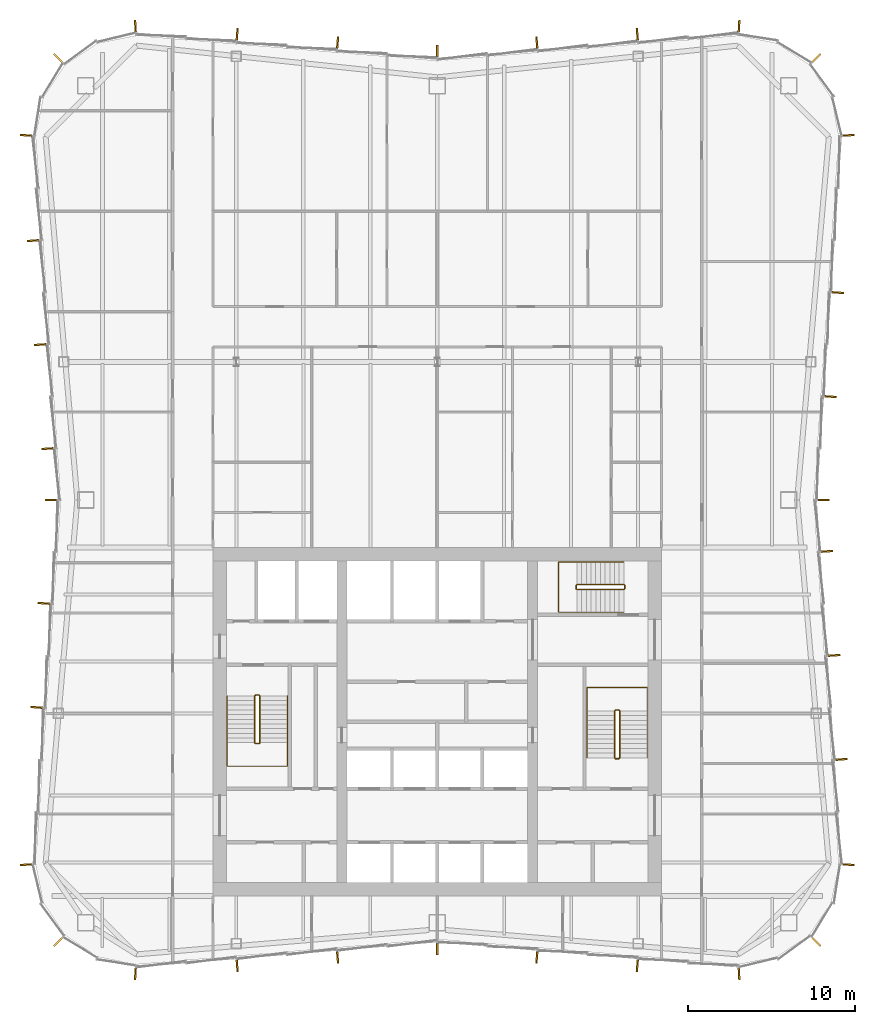
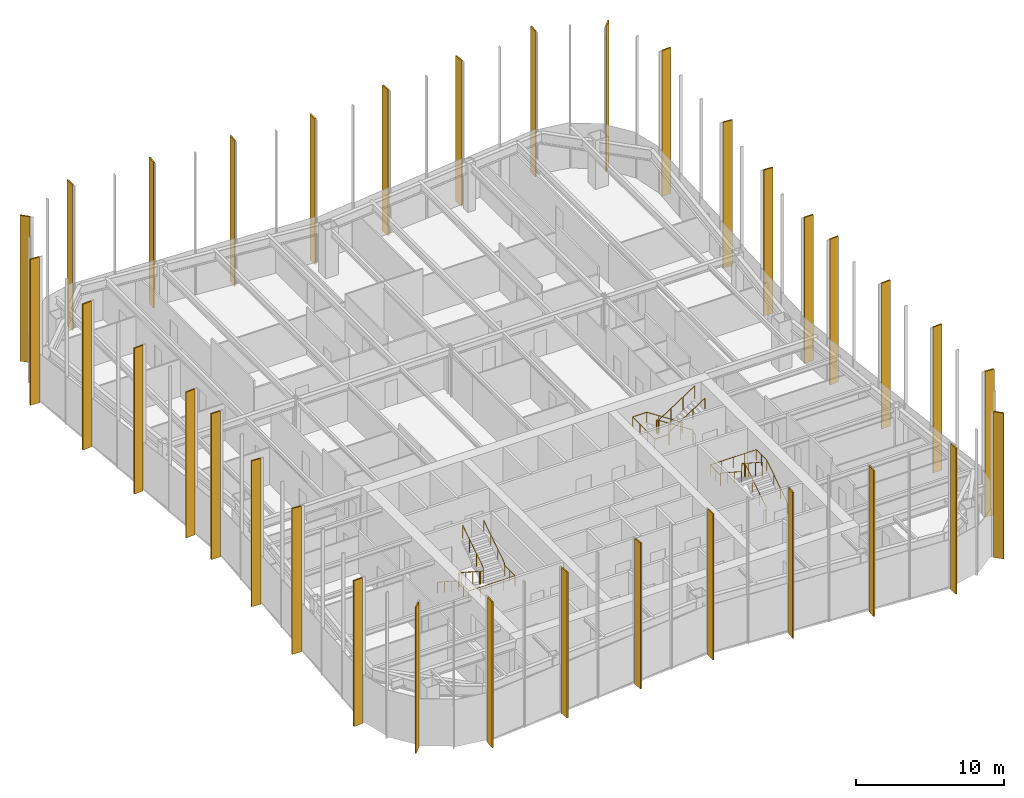
# One storey, part 15 of 15: 34 shading devices, 6 railings.
"""IFC4 building model written with IfcOpenShell, lengths in metres."""

from ifc_helpers import new_model, si_unit, direction, frame, origin, origin_2d, place, context, subcontext, project, spatial, rectangle, circle, extrude, material, layer, layer_set, type_object, element, save


model = new_model("IFC4")

# Units and contexts
model_context = context("Model", 3, precision=1e-05, world=origin(), true_north=direction((0.0, 1.0)))
body_context = subcontext(model_context, "Body", "Model", "MODEL_VIEW")
ifc_project = project(units=[si_unit("LENGTHUNIT", "METRE"), si_unit("AREAUNIT", "SQUARE_METRE"), si_unit("VOLUMEUNIT", "CUBIC_METRE"), si_unit("PLANEANGLEUNIT", "RADIAN"), si_unit("MASSUNIT", "GRAM", prefix="KILO")], contexts=[model_context])

# Site, building, storey
site_placement = place(None, origin())
site = spatial("IfcSite", under=ifc_project, at=site_placement, CompositionType="ELEMENT")
building_placement = place(site_placement, origin())
building = spatial("IfcBuilding", under=site, at=building_placement, Name="Verdant Reach Tower", CompositionType="ELEMENT")
storey_placement = place(building_placement, frame((0.0, 0.0, 262.0)))
storey = spatial("IfcBuildingStorey", under=building, at=storey_placement, Name="L60", CompositionType="ELEMENT", Elevation=262.0)

# Railings
ifc_material_1 = material(Name="Stainless steel", Category="steel")
railing_type_1 = type_object("IfcRailingType", Name="CO-GUARD", PredefinedType="GUARDRAIL", material=ifc_material_1)
railing_1_placement = place(storey_placement, frame((-10.64990234375, 29.60009765625, 0.0)))
element("IfcRailing", 1, at=railing_1_placement, inside=storey, type_object=railing_type_1, Name="L60 ST-1 stair guard 1", PredefinedType="GUARDRAIL", context=body_context, shape_type="SweptSolid", body=[
    extrude(circle(Radius=0.02392578125, at=origin_2d()), frame((0.0, 0.0, 1.076171875), z_axis=(-1.0, 0.0, 0.0), x_axis=(0.0, -1.0, 0.0)), (0.0, 0.0, 1.0), 0.2001953125),
    extrude(circle(Radius=0.02392578125, at=origin_2d()), frame((-0.2001953125, 0.0, 1.076171875), z_axis=(-0.25526617399, -0.256517478764, 0.932222056972), x_axis=(0.708833529934, -0.705375805398, 0.0)), (0.0, 0.0, 1.0), 0.195068359375),
    extrude(circle(Radius=0.02392578125, at=origin_2d()), frame((-0.25, -0.050048828125, 1.2578125), z_axis=(0.0, -0.838705829183, 0.544584733623), x_axis=(1.0, 0.0, 0.0)), (0.0, 0.0, 1.0), 3.338623046875),
    extrude(circle(Radius=0.02392578125, at=origin_2d()), frame((-0.25, -2.85009765625, 3.076171875), z_axis=(0.705375805398, -0.708833529934, 0.0), x_axis=(0.708833529934, 0.705375805398, 0.0)), (0.0, 0.0, 1.0), 0.070556640625),
    extrude(circle(Radius=0.02392578125, at=origin_2d()), frame((-0.2001953125, -2.900146484375, 3.076171875), z_axis=(1.0, 0.0, 0.0), x_axis=(0.0, 1.0, 0.0)), (0.0, 0.0, 1.0), 0.2001953125),
    extrude(circle(Radius=0.02392578125, at=origin_2d()), frame((0.0, -2.900146484375, 3.076171875), z_axis=(0.25526617399, 0.256517478764, 0.932222056972), x_axis=(-0.708833529934, 0.705375805398, 0.0)), (0.0, 0.0, 1.0), 0.195068359375),
    extrude(circle(Radius=0.02392578125, at=origin_2d()), frame((0.0498046875, -2.85009765625, 3.2578125), z_axis=(0.0, 0.838705829183, 0.544584733623), x_axis=(-1.0, 0.0, 0.0)), (0.0, 0.0, 1.0), 3.338623046875),
    extrude(circle(Radius=0.02099609375, at=origin_2d()), origin(), (0.0, 0.0, 1.0), 1.052001953125),
    extrude(circle(Radius=0.02099609375, at=origin_2d()), frame((-0.2001953125, 0.0, 0.0)), (0.0, 0.0, 1.0), 1.052001953125),
    extrude(circle(Radius=0.02099609375, at=origin_2d()), frame((-0.25, -0.050048828125, 0.181884765625)), (0.0, 0.0, 1.0), 1.052001953125),
    extrude(circle(Radius=0.02099609375, at=origin_2d()), frame((-0.25, -0.9833984375, 0.787841796875)), (0.0, 0.0, 1.0), 1.052001953125),
    extrude(circle(Radius=0.02099609375, at=origin_2d()), frame((-0.25, -1.916748046875, 1.39404296875)), (0.0, 0.0, 1.0), 1.052001953125),
    extrude(circle(Radius=0.02099609375, at=origin_2d()), frame((-0.25, -2.85009765625, 2.0)), (0.0, 0.0, 1.0), 1.052001953125),
    extrude(circle(Radius=0.02099609375, at=origin_2d()), frame((-0.2001953125, -2.900146484375, 2.0)), (0.0, 0.0, 1.0), 1.052001953125),
    extrude(circle(Radius=0.02099609375, at=origin_2d()), frame((0.0, -2.900146484375, 2.0)), (0.0, 0.0, 1.0), 1.052001953125),
    extrude(circle(Radius=0.02099609375, at=origin_2d()), frame((0.0498046875, -2.85009765625, 2.181884765625)), (0.0, 0.0, 1.0), 1.052001953125),
    extrude(circle(Radius=0.02099609375, at=origin_2d()), frame((0.0498046875, -1.916748046875, 2.787841796875)), (0.0, 0.0, 1.0), 1.052001953125),
    extrude(circle(Radius=0.02099609375, at=origin_2d()), frame((0.0498046875, -0.9833984375, 3.39404296875)), (0.0, 0.0, 1.0), 1.052001953125),
    extrude(circle(Radius=0.02099609375, at=origin_2d()), frame((0.0498046875, -0.050048828125, 4.0)), (0.0, 0.0, 1.0), 1.052001953125),
])
railing_2_placement = place(storey_placement, frame((10.64990234375, 25.800048828125, 0.0)))
element("IfcRailing", 2, at=railing_2_placement, inside=storey, type_object=railing_type_1, Name="L60 ST-2 stair guard 1", PredefinedType="GUARDRAIL", context=body_context, shape_type="SweptSolid", body=[
    extrude(circle(Radius=0.02392578125, at=origin_2d()), frame((0.0, 0.0, 1.076171875), z_axis=(1.0, 0.0, 0.0), x_axis=(0.0, 1.0, 0.0)), (0.0, 0.0, 1.0), 0.2001953125),
    extrude(circle(Radius=0.02392578125, at=origin_2d()), frame((0.2001953125, 0.0, 1.076171875), z_axis=(0.25526617399, 0.256517478764, 0.932222056972), x_axis=(-0.708833529934, 0.705375805398, 0.0)), (0.0, 0.0, 1.0), 0.195068359375),
    extrude(circle(Radius=0.02392578125, at=origin_2d()), frame((0.25, 0.050048828125, 1.2578125), z_axis=(0.0, 0.83868413941, 0.544618136222), x_axis=(-1.0, 0.0, 0.0)), (0.0, 0.0, 1.0), 3.33837890625),
    extrude(circle(Radius=0.02392578125, at=origin_2d()), frame((0.25, 2.849853515625, 3.076171875), z_axis=(-0.705375805398, 0.708833529934, 0.0), x_axis=(-0.708833529934, -0.705375805398, 0.0)), (0.0, 0.0, 1.0), 0.070556640625),
    extrude(circle(Radius=0.02392578125, at=origin_2d()), frame((0.2001953125, 2.89990234375, 3.076171875), z_axis=(-1.0, 0.0, 0.0), x_axis=(0.0, -1.0, 0.0)), (0.0, 0.0, 1.0), 0.2001953125),
    extrude(circle(Radius=0.02392578125, at=origin_2d()), frame((0.0, 2.89990234375, 3.076171875), z_axis=(-0.25526617399, -0.256517478764, 0.932222056972), x_axis=(0.708833529934, -0.705375805398, 0.0)), (0.0, 0.0, 1.0), 0.195068359375),
    extrude(circle(Radius=0.02392578125, at=origin_2d()), frame((-0.0498046875, 2.849853515625, 3.2578125), z_axis=(0.0, -0.83868413941, 0.544618136222), x_axis=(1.0, 0.0, 0.0)), (0.0, 0.0, 1.0), 3.33837890625),
    extrude(circle(Radius=0.02099609375, at=origin_2d()), origin(), (0.0, 0.0, 1.0), 1.052001953125),
    extrude(circle(Radius=0.02099609375, at=origin_2d()), frame((0.2001953125, 0.0, 0.0)), (0.0, 0.0, 1.0), 1.052001953125),
    extrude(circle(Radius=0.02099609375, at=origin_2d()), frame((0.25, 0.050048828125, 0.181884765625)), (0.0, 0.0, 1.0), 1.052001953125),
    extrude(circle(Radius=0.02099609375, at=origin_2d()), frame((0.25, 0.9833984375, 0.787841796875)), (0.0, 0.0, 1.0), 1.052001953125),
    extrude(circle(Radius=0.02099609375, at=origin_2d()), frame((0.25, 1.91650390625, 1.39404296875)), (0.0, 0.0, 1.0), 1.052001953125),
    extrude(circle(Radius=0.02099609375, at=origin_2d()), frame((0.25, 2.849853515625, 2.0)), (0.0, 0.0, 1.0), 1.052001953125),
    extrude(circle(Radius=0.02099609375, at=origin_2d()), frame((0.2001953125, 2.89990234375, 2.0)), (0.0, 0.0, 1.0), 1.052001953125),
    extrude(circle(Radius=0.02099609375, at=origin_2d()), frame((0.0, 2.89990234375, 2.0)), (0.0, 0.0, 1.0), 1.052001953125),
    extrude(circle(Radius=0.02099609375, at=origin_2d()), frame((-0.0498046875, 2.849853515625, 2.181884765625)), (0.0, 0.0, 1.0), 1.052001953125),
    extrude(circle(Radius=0.02099609375, at=origin_2d()), frame((-0.0498046875, 1.91650390625, 2.787841796875)), (0.0, 0.0, 1.0), 1.052001953125),
    extrude(circle(Radius=0.02099609375, at=origin_2d()), frame((-0.0498046875, 0.9833984375, 3.39404296875)), (0.0, 0.0, 1.0), 1.052001953125),
    extrude(circle(Radius=0.02099609375, at=origin_2d()), frame((-0.0498046875, 0.050048828125, 4.0)), (0.0, 0.0, 1.0), 1.052001953125),
])
railing_3_placement = place(storey_placement, frame((11.199951171875, 35.949951171875, 0.0)))
element("IfcRailing", 3, at=railing_3_placement, inside=storey, type_object=railing_type_1, Name="L60 ST-3 stair guard 1", PredefinedType="GUARDRAIL", context=body_context, shape_type="SweptSolid", body=[
    extrude(circle(Radius=0.02392578125, at=origin_2d()), frame((0.0, 0.0, 1.076171875), z_axis=(0.0, 1.0, 0.0), x_axis=(-1.0, 0.0, 0.0)), (0.0, 0.0, 1.0), 0.199951171875),
    extrude(circle(Radius=0.02392578125, at=origin_2d()), frame((0.0, 0.199951171875, 1.076171875), z_axis=(-0.256435381639, 0.256435381639, 0.931923704005), x_axis=(-0.707106781187, -0.707106781187, 0.0)), (0.0, 0.0, 1.0), 0.195068359375),
    extrude(circle(Radius=0.02392578125, at=origin_2d()), frame((-0.050048828125, 0.25, 1.2578125), z_axis=(-0.83868413941, 0.0, 0.544618136222), x_axis=(0.0, -1.0, 0.0)), (0.0, 0.0, 1.0), 3.33837890625),
    extrude(circle(Radius=0.02392578125, at=origin_2d()), frame((-2.849853515625, 0.25, 3.076171875), z_axis=(-0.707106781187, -0.707106781187, 0.0), x_axis=(0.707106781187, -0.707106781187, 0.0)), (0.0, 0.0, 1.0), 0.07080078125),
    extrude(circle(Radius=0.02392578125, at=origin_2d()), frame((-2.89990234375, 0.199951171875, 3.076171875), z_axis=(0.0, -1.0, 0.0), x_axis=(1.0, 0.0, 0.0)), (0.0, 0.0, 1.0), 0.199951171875),
    extrude(circle(Radius=0.02392578125, at=origin_2d()), frame((-2.89990234375, 0.0, 3.076171875), z_axis=(0.256435381639, -0.256435381639, 0.931923704005), x_axis=(0.707106781187, 0.707106781187, 0.0)), (0.0, 0.0, 1.0), 0.195068359375),
    extrude(circle(Radius=0.02392578125, at=origin_2d()), frame((-2.849853515625, -0.050048828125, 3.2578125), z_axis=(0.83868413941, 0.0, 0.544618136222), x_axis=(0.0, 1.0, 0.0)), (0.0, 0.0, 1.0), 3.33837890625),
    extrude(circle(Radius=0.02099609375, at=origin_2d()), origin(), (0.0, 0.0, 1.0), 1.052001953125),
    extrude(circle(Radius=0.02099609375, at=origin_2d()), frame((0.0, 0.199951171875, 0.0)), (0.0, 0.0, 1.0), 1.052001953125),
    extrude(circle(Radius=0.02099609375, at=origin_2d()), frame((-0.050048828125, 0.25, 0.181884765625)), (0.0, 0.0, 1.0), 1.052001953125),
    extrude(circle(Radius=0.02099609375, at=origin_2d()), frame((-0.9833984375, 0.25, 0.787841796875)), (0.0, 0.0, 1.0), 1.052001953125),
    extrude(circle(Radius=0.02099609375, at=origin_2d()), frame((-1.91650390625, 0.25, 1.39404296875)), (0.0, 0.0, 1.0), 1.052001953125),
    extrude(circle(Radius=0.02099609375, at=origin_2d()), frame((-2.849853515625, 0.25, 2.0)), (0.0, 0.0, 1.0), 1.052001953125),
    extrude(circle(Radius=0.02099609375, at=origin_2d()), frame((-2.89990234375, 0.199951171875, 2.0)), (0.0, 0.0, 1.0), 1.052001953125),
    extrude(circle(Radius=0.02099609375, at=origin_2d()), frame((-2.89990234375, 0.0, 2.0)), (0.0, 0.0, 1.0), 1.052001953125),
    extrude(circle(Radius=0.02099609375, at=origin_2d()), frame((-2.849853515625, -0.050048828125, 2.181884765625)), (0.0, 0.0, 1.0), 1.052001953125),
    extrude(circle(Radius=0.02099609375, at=origin_2d()), frame((-1.91650390625, -0.050048828125, 2.787841796875)), (0.0, 0.0, 1.0), 1.052001953125),
    extrude(circle(Radius=0.02099609375, at=origin_2d()), frame((-0.9833984375, -0.050048828125, 3.39404296875)), (0.0, 0.0, 1.0), 1.052001953125),
    extrude(circle(Radius=0.02099609375, at=origin_2d()), frame((-0.050048828125, -0.050048828125, 4.0)), (0.0, 0.0, 1.0), 1.052001953125),
])
railing_type_2 = type_object("IfcRailingType", Name="CO-HANDRAIL", PredefinedType="HANDRAIL", material=ifc_material_1)
railing_4_placement = place(storey_placement, frame((-12.550048828125, 29.550048828125, 0.181884765625)))
element("IfcRailing", 4, at=railing_4_placement, inside=storey, type_object=railing_type_2, Name="L60 ST-1 stair handrail 1", PredefinedType="HANDRAIL", context=body_context, shape_type="SweptSolid", body=[
    extrude(circle(Radius=0.02392578125, at=origin_2d()), frame((0.0, 0.0, 0.8759765625), z_axis=(0.0, -0.838705829183, 0.544584733623), x_axis=(1.0, 0.0, 0.0)), (0.0, 0.0, 1.0), 3.338623046875),
    extrude(circle(Radius=0.02392578125, at=origin_2d()), frame((0.0, -2.800048828125, 2.69384765625), z_axis=(0.0, -1.0, 0.0), x_axis=(1.0, 0.0, 0.0)), (0.0, 0.0, 1.0), 1.39990234375),
    extrude(circle(Radius=0.02392578125, at=origin_2d()), frame((0.0, -4.199951171875, 2.69384765625), z_axis=(1.0, 0.0, 0.0), x_axis=(0.0, 1.0, 0.0)), (0.0, 0.0, 1.0), 3.60009765625),
    extrude(circle(Radius=0.02392578125, at=origin_2d()), frame((3.60009765625, -4.199951171875, 2.69384765625), z_axis=(0.0, 1.0, 0.0), x_axis=(-1.0, 0.0, 0.0)), (0.0, 0.0, 1.0), 1.39990234375),
    extrude(circle(Radius=0.02392578125, at=origin_2d()), frame((3.60009765625, -2.800048828125, 2.69384765625), z_axis=(0.0, 0.0, 1.0), x_axis=(1.0, 0.0, 0.0)), (0.0, 0.0, 1.0), 0.181884765625),
    extrude(circle(Radius=0.02392578125, at=origin_2d()), frame((3.60009765625, -2.800048828125, 2.8759765625), z_axis=(0.0, 0.838705829183, 0.544584733623), x_axis=(-1.0, 0.0, 0.0)), (0.0, 0.0, 1.0), 3.338623046875),
    extrude(circle(Radius=0.02099609375, at=origin_2d()), origin(), (0.0, 0.0, 1.0), 0.851806640625),
    extrude(circle(Radius=0.02099609375, at=origin_2d()), frame((0.0, -0.933349609375, 0.60595703125)), (0.0, 0.0, 1.0), 0.851806640625),
    extrude(circle(Radius=0.02099609375, at=origin_2d()), frame((0.0, -1.86669921875, 1.212158203125)), (0.0, 0.0, 1.0), 0.851806640625),
    extrude(circle(Radius=0.02099609375, at=origin_2d()), frame((0.0, -2.800048828125, 1.818115234375)), (0.0, 0.0, 1.0), 0.851806640625),
    extrude(circle(Radius=0.02099609375, at=origin_2d()), frame((0.0, -3.5, 1.818115234375)), (0.0, 0.0, 1.0), 0.851806640625),
    extrude(circle(Radius=0.02099609375, at=origin_2d()), frame((0.0, -4.199951171875, 1.818115234375)), (0.0, 0.0, 1.0), 0.851806640625),
    extrude(circle(Radius=0.02099609375, at=origin_2d()), frame((0.89990234375, -4.199951171875, 1.818115234375)), (0.0, 0.0, 1.0), 0.851806640625),
    extrude(circle(Radius=0.02099609375, at=origin_2d()), frame((1.800048828125, -4.199951171875, 1.818115234375)), (0.0, 0.0, 1.0), 0.851806640625),
    extrude(circle(Radius=0.02099609375, at=origin_2d()), frame((2.7001953125, -4.199951171875, 1.818115234375)), (0.0, 0.0, 1.0), 0.851806640625),
    extrude(circle(Radius=0.02099609375, at=origin_2d()), frame((3.60009765625, -4.199951171875, 1.818115234375)), (0.0, 0.0, 1.0), 0.851806640625),
    extrude(circle(Radius=0.02099609375, at=origin_2d()), frame((3.60009765625, -3.5, 1.818115234375)), (0.0, 0.0, 1.0), 0.851806640625),
    extrude(circle(Radius=0.02099609375, at=origin_2d()), frame((3.60009765625, -2.800048828125, 1.818115234375)), (0.0, 0.0, 1.0), 0.851806640625),
    extrude(circle(Radius=0.02099609375, at=origin_2d()), frame((3.60009765625, -2.800048828125, 2.0)), (0.0, 0.0, 1.0), 0.851806640625),
    extrude(circle(Radius=0.02099609375, at=origin_2d()), frame((3.60009765625, -1.86669921875, 2.60595703125)), (0.0, 0.0, 1.0), 0.851806640625),
    extrude(circle(Radius=0.02099609375, at=origin_2d()), frame((3.60009765625, -0.933349609375, 3.212158203125)), (0.0, 0.0, 1.0), 0.851806640625),
    extrude(circle(Radius=0.02099609375, at=origin_2d()), frame((3.60009765625, 0.0, 3.818115234375)), (0.0, 0.0, 1.0), 0.851806640625),
])
railing_5_placement = place(storey_placement, frame((12.550048828125, 25.85009765625, 0.181884765625)))
element("IfcRailing", 5, at=railing_5_placement, inside=storey, type_object=railing_type_2, Name="L60 ST-2 stair handrail 1", PredefinedType="HANDRAIL", context=body_context, shape_type="SweptSolid", body=[
    extrude(circle(Radius=0.02392578125, at=origin_2d()), frame((0.0, 0.0, 0.8759765625), z_axis=(0.0, 0.83868413941, 0.544618136222), x_axis=(-1.0, 0.0, 0.0)), (0.0, 0.0, 1.0), 3.33837890625),
    extrude(circle(Radius=0.02392578125, at=origin_2d()), frame((0.0, 2.7998046875, 2.69384765625), z_axis=(0.0, 1.0, 0.0), x_axis=(-1.0, 0.0, 0.0)), (0.0, 0.0, 1.0), 1.400146484375),
    extrude(circle(Radius=0.02392578125, at=origin_2d()), frame((0.0, 4.199951171875, 2.69384765625), z_axis=(-1.0, 0.0, 0.0), x_axis=(0.0, -1.0, 0.0)), (0.0, 0.0, 1.0), 3.60009765625),
    extrude(circle(Radius=0.02392578125, at=origin_2d()), frame((-3.60009765625, 4.199951171875, 2.69384765625), z_axis=(0.0, -1.0, 0.0), x_axis=(1.0, 0.0, 0.0)), (0.0, 0.0, 1.0), 1.400146484375),
    extrude(circle(Radius=0.02392578125, at=origin_2d()), frame((-3.60009765625, 2.7998046875, 2.69384765625), z_axis=(0.0, 0.0, 1.0), x_axis=(1.0, 0.0, 0.0)), (0.0, 0.0, 1.0), 0.181884765625),
    extrude(circle(Radius=0.02392578125, at=origin_2d()), frame((-3.60009765625, 2.7998046875, 2.8759765625), z_axis=(0.0, -0.83868413941, 0.544618136222), x_axis=(1.0, 0.0, 0.0)), (0.0, 0.0, 1.0), 3.33837890625),
    extrude(circle(Radius=0.02099609375, at=origin_2d()), origin(), (0.0, 0.0, 1.0), 0.851806640625),
    extrude(circle(Radius=0.02099609375, at=origin_2d()), frame((0.0, 0.933349609375, 0.60595703125)), (0.0, 0.0, 1.0), 0.851806640625),
    extrude(circle(Radius=0.02099609375, at=origin_2d()), frame((0.0, 1.866455078125, 1.212158203125)), (0.0, 0.0, 1.0), 0.851806640625),
    extrude(circle(Radius=0.02099609375, at=origin_2d()), frame((0.0, 2.7998046875, 1.818115234375)), (0.0, 0.0, 1.0), 0.851806640625),
    extrude(circle(Radius=0.02099609375, at=origin_2d()), frame((0.0, 3.5, 1.818115234375)), (0.0, 0.0, 1.0), 0.851806640625),
    extrude(circle(Radius=0.02099609375, at=origin_2d()), frame((0.0, 4.199951171875, 1.818115234375)), (0.0, 0.0, 1.0), 0.851806640625),
    extrude(circle(Radius=0.02099609375, at=origin_2d()), frame((-0.89990234375, 4.199951171875, 1.818115234375)), (0.0, 0.0, 1.0), 0.851806640625),
    extrude(circle(Radius=0.02099609375, at=origin_2d()), frame((-1.800048828125, 4.199951171875, 1.818115234375)), (0.0, 0.0, 1.0), 0.851806640625),
    extrude(circle(Radius=0.02099609375, at=origin_2d()), frame((-2.7001953125, 4.199951171875, 1.818115234375)), (0.0, 0.0, 1.0), 0.851806640625),
    extrude(circle(Radius=0.02099609375, at=origin_2d()), frame((-3.60009765625, 4.199951171875, 1.818115234375)), (0.0, 0.0, 1.0), 0.851806640625),
    extrude(circle(Radius=0.02099609375, at=origin_2d()), frame((-3.60009765625, 3.5, 1.818115234375)), (0.0, 0.0, 1.0), 0.851806640625),
    extrude(circle(Radius=0.02099609375, at=origin_2d()), frame((-3.60009765625, 2.7998046875, 1.818115234375)), (0.0, 0.0, 1.0), 0.851806640625),
    extrude(circle(Radius=0.02099609375, at=origin_2d()), frame((-3.60009765625, 2.7998046875, 2.0)), (0.0, 0.0, 1.0), 0.851806640625),
    extrude(circle(Radius=0.02099609375, at=origin_2d()), frame((-3.60009765625, 1.866455078125, 2.60595703125)), (0.0, 0.0, 1.0), 0.851806640625),
    extrude(circle(Radius=0.02099609375, at=origin_2d()), frame((-3.60009765625, 0.933349609375, 3.212158203125)), (0.0, 0.0, 1.0), 0.851806640625),
    extrude(circle(Radius=0.02099609375, at=origin_2d()), frame((-3.60009765625, 0.0, 3.818115234375)), (0.0, 0.0, 1.0), 0.851806640625),
])
railing_6_placement = place(storey_placement, frame((11.14990234375, 37.550048828125, 0.181884765625)))
element("IfcRailing", 6, at=railing_6_placement, inside=storey, type_object=railing_type_2, Name="L60 ST-3 stair handrail 1", PredefinedType="HANDRAIL", context=body_context, shape_type="SweptSolid", body=[
    extrude(circle(Radius=0.02392578125, at=origin_2d()), frame((0.0, 0.0, 0.8759765625), z_axis=(-0.83868413941, 0.0, 0.544618136222), x_axis=(0.0, -1.0, 0.0)), (0.0, 0.0, 1.0), 3.33837890625),
    extrude(circle(Radius=0.02392578125, at=origin_2d()), frame((-2.7998046875, 0.0, 2.69384765625), z_axis=(-1.0, 0.0, 0.0), x_axis=(0.0, -1.0, 0.0)), (0.0, 0.0, 1.0), 1.10009765625),
    extrude(circle(Radius=0.02392578125, at=origin_2d()), frame((-3.89990234375, 0.0, 2.69384765625), z_axis=(0.0, -1.0, 0.0), x_axis=(1.0, 0.0, 0.0)), (0.0, 0.0, 1.0), 3.0),
    extrude(circle(Radius=0.02392578125, at=origin_2d()), frame((-3.89990234375, -3.0, 2.69384765625), z_axis=(1.0, 0.0, 0.0), x_axis=(0.0, 1.0, 0.0)), (0.0, 0.0, 1.0), 1.10009765625),
    extrude(circle(Radius=0.02392578125, at=origin_2d()), frame((-2.7998046875, -3.0, 2.69384765625), z_axis=(0.0, 0.0, 1.0), x_axis=(1.0, 0.0, 0.0)), (0.0, 0.0, 1.0), 0.181884765625),
    extrude(circle(Radius=0.02392578125, at=origin_2d()), frame((-2.7998046875, -3.0, 2.8759765625), z_axis=(0.83868413941, 0.0, 0.544618136222), x_axis=(0.0, 1.0, 0.0)), (0.0, 0.0, 1.0), 3.33837890625),
    extrude(circle(Radius=0.02099609375, at=origin_2d()), origin(), (0.0, 0.0, 1.0), 0.851806640625),
    extrude(circle(Radius=0.02099609375, at=origin_2d()), frame((-0.933349609375, 0.0, 0.60595703125)), (0.0, 0.0, 1.0), 0.851806640625),
    extrude(circle(Radius=0.02099609375, at=origin_2d()), frame((-1.866455078125, 0.0, 1.212158203125)), (0.0, 0.0, 1.0), 0.851806640625),
    extrude(circle(Radius=0.02099609375, at=origin_2d()), frame((-2.7998046875, 0.0, 1.818115234375)), (0.0, 0.0, 1.0), 0.851806640625),
    extrude(circle(Radius=0.02099609375, at=origin_2d()), frame((-3.89990234375, 0.0, 1.818115234375)), (0.0, 0.0, 1.0), 0.851806640625),
    extrude(circle(Radius=0.02099609375, at=origin_2d()), frame((-3.89990234375, -1.0, 1.818115234375)), (0.0, 0.0, 1.0), 0.851806640625),
    extrude(circle(Radius=0.02099609375, at=origin_2d()), frame((-3.89990234375, -2.0, 1.818115234375)), (0.0, 0.0, 1.0), 0.851806640625),
    extrude(circle(Radius=0.02099609375, at=origin_2d()), frame((-3.89990234375, -3.0, 1.818115234375)), (0.0, 0.0, 1.0), 0.851806640625),
    extrude(circle(Radius=0.02099609375, at=origin_2d()), frame((-2.7998046875, -3.0, 1.818115234375)), (0.0, 0.0, 1.0), 0.851806640625),
    extrude(circle(Radius=0.02099609375, at=origin_2d()), frame((-2.7998046875, -3.0, 2.0)), (0.0, 0.0, 1.0), 0.851806640625),
    extrude(circle(Radius=0.02099609375, at=origin_2d()), frame((-1.866455078125, -3.0, 2.60595703125)), (0.0, 0.0, 1.0), 0.851806640625),
    extrude(circle(Radius=0.02099609375, at=origin_2d()), frame((-0.933349609375, -3.0, 3.212158203125)), (0.0, 0.0, 1.0), 0.851806640625),
    extrude(circle(Radius=0.02099609375, at=origin_2d()), frame((0.0, -3.0, 3.818115234375)), (0.0, 0.0, 1.0), 0.851806640625),
])

# Shading devices
ifc_material_2 = material(Name="Bronze fin, champagne", Category="aluminium")
ifc_layer_1 = layer(ifc_material_2, 0.10009765625)
ifc_layer_set_1 = layer_set([ifc_layer_1], Name="EN-FIN CHAMPAGNE")
shading_device_type_1 = type_object("IfcShadingDeviceType", Name="EN-FIN CHAMPAGNE", PredefinedType="USERDEFINED", material=ifc_layer_set_1)
for number, where, z_axis, x_axis, name in (
    (7, (24.14404296875, 25.753662109375, -0.35009765625), (0.0, 0.0, 1.0), (-0.068802091615, 0.997630328423, 0.0), "Fin east face part 1 3, L60"),
    (8, (23.9296875, 53.63916015625, -0.35009765625), (0.0, 0.0, 1.0), (0.068802091615, 0.997630328423, 0.0), "Fin east face part 2 5, L60"),
    (9, (22.6484375, 67.6484375, -0.35009765625), (0.0, 0.0, 1.0), (-0.707106781187, 0.707106781187, 0.0), "Fin north-east corner 3, L60"),
    (10, (18.032470703125, 69.572998046875, -0.35009765625), (0.0, 0.0, 1.0), (-0.998398681387, 0.056569187765, 0.0), "Fin north face part 1 1, L60"),
    (11, (-5.952392578125, 68.572021484375, -0.35009765625), (0.0, 0.0, 1.0), (-0.996545758244, 0.083045479859, 0.0), "Fin north face part 2 3, L60"),
    (12, (-18.032470703125, 69.572998046875, -0.35009765625), (0.0, 0.0, 1.0), (-0.998398681387, -0.056569187765, 0.0), "Fin north-west corner 1, L60"),
    (13, (-23.286865234375, 44.317626953125, -0.35009765625), (0.0, 0.0, 1.0), (0.068802091615, -0.997630328423, 0.0), "Fin west face part 1 7, L60"),
    (14, (-23.073974609375, 41.25, -0.35009765625), (0.0, 0.0, 1.0), (0.0, -1.0, 0.0), "Fin west face part 2 1, L60"),
    (15, (-5.952392578125, 13.927978515625, -0.35009765625), (0.0, 0.0, 1.0), (0.996545758244, 0.083045479859, 0.0), "Fin south face part 1 5, L60"),
    (16, (11.952392578125, 13.427978515625, -0.35009765625), (0.0, 0.0, 1.0), (0.996545758244, -0.083045479859, 0.0), "Fin south face part 2 5, L60"),
):
    element("IfcShadingDevice", number, at=place(storey_placement, frame(where, z_axis=z_axis, x_axis=x_axis)), inside=storey, type_object=shading_device_type_1, Name=name, ObjectType="FIN", PredefinedType="USERDEFINED", context=body_context, shape_type="SweptSolid", body=[
        extrude(rectangle(XDim=0.10009765625, YDim=0.699951171875, at=origin_2d()), origin(), (0.0, 0.0, 1.0), 12.0),
    ])
ifc_material_3 = material(Name="Bronze fin, copper", Category="aluminium")
ifc_layer_2 = layer(ifc_material_3, 0.10009765625)
ifc_layer_set_2 = layer_set([ifc_layer_2], Name="EN-FIN COPPER")
shading_device_type_2 = type_object("IfcShadingDeviceType", Name="EN-FIN COPPER", PredefinedType="USERDEFINED", material=ifc_layer_set_2)
for number, where, z_axis, x_axis, name in (
    (17, (23.715576171875, 31.968017578125, -0.35009765625), (0.0, 0.0, 1.0), (-0.068802091615, 0.997630328423, 0.0), "Fin east face part 1 5, L60"),
    (18, (11.952392578125, 69.072021484375, -0.35009765625), (0.0, 0.0, 1.0), (-0.996545758244, -0.083045479859, 0.0), "Fin north face part 1 3, L60"),
    (19, (-11.952392578125, 69.072021484375, -0.35009765625), (0.0, 0.0, 1.0), (-0.996545758244, 0.083045479859, 0.0), "Fin north face part 2 5, L60"),
    (20, (-22.6484375, 67.6484375, -0.35009765625), (0.0, 0.0, 1.0), (-0.707106781187, -0.707106781187, 0.0), "Fin north-west corner 3, L60"),
    (21, (-24.57275390625, 63.03662109375, -0.35009765625), (0.0, 0.0, 1.0), (-0.063698618332, -0.997969180898, 0.0), "Fin west face part 1 1, L60"),
    (22, (-24.14404296875, 56.746337890625, -0.35009765625), (0.0, 0.0, 1.0), (0.068802091615, -0.997630328423, 0.0), "Fin west face part 1 3, L60"),
    (23, (-23.501220703125, 35.0751953125, -0.35009765625), (0.0, 0.0, 1.0), (-0.068802091615, -0.997630328423, 0.0), "Fin west face part 2 3, L60"),
    (24, (-24.57275390625, 19.46337890625, -0.35009765625), (0.0, 0.0, 1.0), (0.063698618332, -0.997969180898, 0.0), "Fin south-west corner 1, L60"),
    (25, (-22.6484375, 14.8515625, -0.35009765625), (0.0, 0.0, 1.0), (0.707106781187, -0.707106781187, 0.0), "Fin south-west corner 3, L60"),
    (26, (0.0, 14.426025390625, -0.35009765625), (0.0, 0.0, 1.0), (1.0, 0.0, 0.0), "Fin south face part 2 1, L60"),
):
    element("IfcShadingDevice", number, at=place(storey_placement, frame(where, z_axis=z_axis, x_axis=x_axis)), inside=storey, type_object=shading_device_type_2, Name=name, ObjectType="FIN", PredefinedType="USERDEFINED", context=body_context, shape_type="SweptSolid", body=[
        extrude(rectangle(XDim=0.10009765625, YDim=0.699951171875, at=origin_2d()), origin(), (0.0, 0.0, 1.0), 12.0),
    ])
ifc_material_4 = material(Name="Bronze fin, dark bronze", Category="aluminium")
ifc_layer_3 = layer(ifc_material_4, 0.10009765625)
ifc_layer_set_3 = layer_set([ifc_layer_3], Name="EN-FIN DARK")
shading_device_type_3 = type_object("IfcShadingDeviceType", Name="EN-FIN DARK", PredefinedType="USERDEFINED", material=ifc_layer_set_3)
for number, where, z_axis, x_axis, name in (
    (27, (18.032470703125, 12.927001953125, -0.35009765625), (0.0, 0.0, 1.0), (0.998398681387, 0.056569187765, 0.0), "Fin south-east corner 1, L60"),
    (28, (22.6484375, 14.8515625, -0.35009765625), (0.0, 0.0, 1.0), (0.707106781187, 0.707106781187, 0.0), "Fin south-east corner 3, L60"),
    (29, (24.57275390625, 19.46337890625, -0.35009765625), (0.0, 0.0, 1.0), (0.063698618332, 0.997969180898, 0.0), "Fin east face part 1 1, L60"),
    (30, (23.286865234375, 38.182373046875, -0.35009765625), (0.0, 0.0, 1.0), (-0.068802091615, 0.997630328423, 0.0), "Fin east face part 1 7, L60"),
    (31, (23.073974609375, 41.25, -0.35009765625), (0.0, 0.0, 1.0), (0.0, 1.0, 0.0), "Fin east face part 2 1, L60"),
    (32, (23.501220703125, 47.4248046875, -0.35009765625), (0.0, 0.0, 1.0), (0.068802091615, 0.997630328423, 0.0), "Fin east face part 2 3, L60"),
    (33, (24.57275390625, 63.03662109375, -0.35009765625), (0.0, 0.0, 1.0), (-0.063698618332, 0.997969180898, 0.0), "Fin north-east corner 1, L60"),
    (34, (5.952392578125, 68.572021484375, -0.35009765625), (0.0, 0.0, 1.0), (-0.996545758244, -0.083045479859, 0.0), "Fin north face part 1 5, L60"),
    (35, (0.0, 68.073974609375, -0.35009765625), (0.0, 0.0, 1.0), (-1.0, 0.0, 0.0), "Fin north face part 2 1, L60"),
    (36, (-23.715576171875, 50.531982421875, -0.35009765625), (0.0, 0.0, 1.0), (0.068802091615, -0.997630328423, 0.0), "Fin west face part 1 5, L60"),
    (37, (-23.9296875, 28.86083984375, -0.35009765625), (0.0, 0.0, 1.0), (-0.068802091615, -0.997630328423, 0.0), "Fin west face part 2 5, L60"),
    (38, (-18.032470703125, 12.927001953125, -0.35009765625), (0.0, 0.0, 1.0), (0.998398681387, -0.056569187765, 0.0), "Fin south face part 1 1, L60"),
    (39, (-11.952392578125, 13.427978515625, -0.35009765625), (0.0, 0.0, 1.0), (0.996545758244, 0.083045479859, 0.0), "Fin south face part 1 3, L60"),
    (40, (5.952392578125, 13.927978515625, -0.35009765625), (0.0, 0.0, 1.0), (0.996545758244, -0.083045479859, 0.0), "Fin south face part 2 3, L60"),
):
    element("IfcShadingDevice", number, at=place(storey_placement, frame(where, z_axis=z_axis, x_axis=x_axis)), inside=storey, type_object=shading_device_type_3, Name=name, ObjectType="FIN", PredefinedType="USERDEFINED", context=body_context, shape_type="SweptSolid", body=[
        extrude(rectangle(XDim=0.10009765625, YDim=0.699951171875, at=origin_2d()), origin(), (0.0, 0.0, 1.0), 12.0),
    ])

save(model, "model.ifc")
